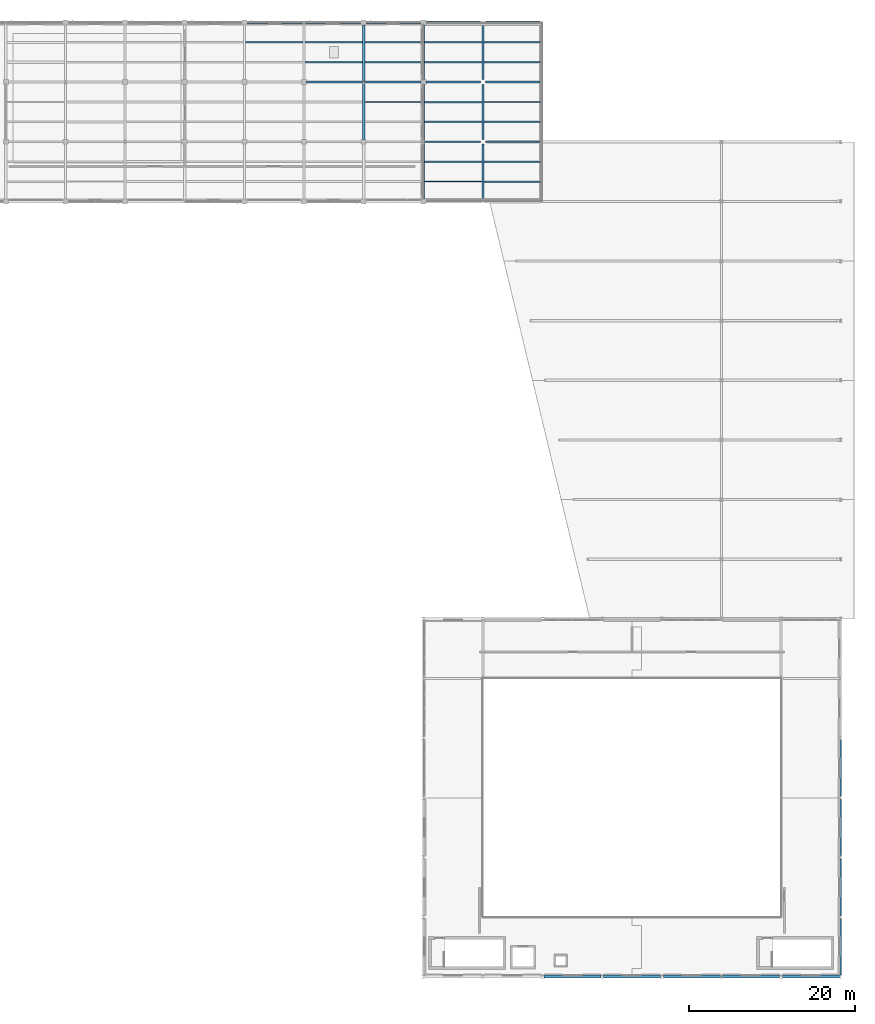
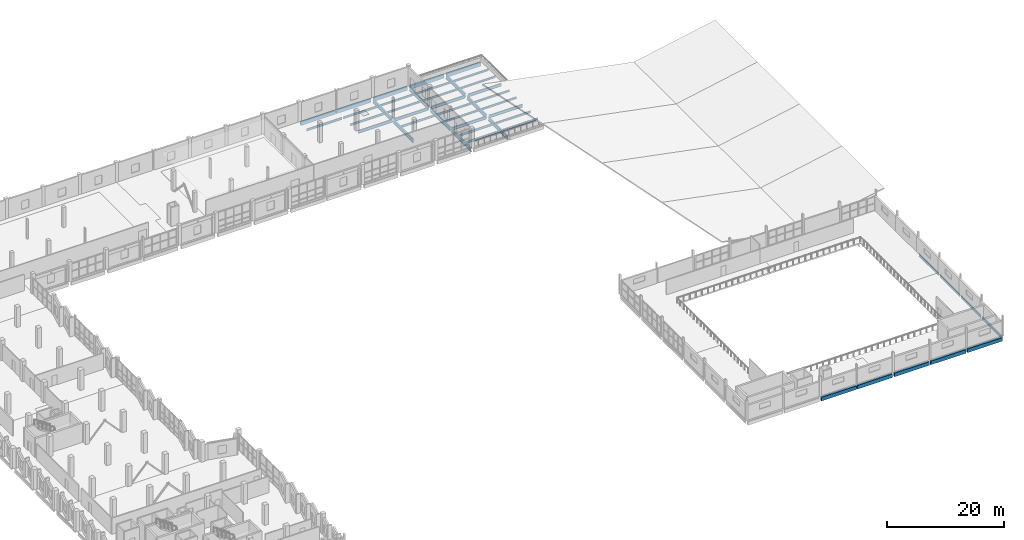
# One storey, part 51 of 94: 46 beams.
"""IFC4 building model written with IfcOpenShell, lengths in metres."""

from ifc_helpers import new_model, si_unit, direction, frame, origin, origin_2d, place, context, subcontext, project, spatial, rectangle, i_section, extrude, material, material_profile, profile_set, type_object, element, save


model = new_model("IFC4")

# Units and contexts
model_context = context("Model", 3, precision=1e-05, world=origin(), true_north=direction((0.0, 1.0)))
body_context = subcontext(model_context, "Body", "Model", "MODEL_VIEW")
ifc_project = project(units=[si_unit("LENGTHUNIT", "METRE"), si_unit("AREAUNIT", "SQUARE_METRE"), si_unit("VOLUMEUNIT", "CUBIC_METRE"), si_unit("PLANEANGLEUNIT", "RADIAN"), si_unit("MASSUNIT", "GRAM", prefix="KILO")], contexts=[model_context])

# Site, building, storey
site_placement = place(None, origin())
site = spatial("IfcSite", under=ifc_project, at=site_placement, CompositionType="ELEMENT")
building_placement = place(site_placement, origin())
building = spatial("IfcBuilding", under=site, at=building_placement, Name="Kalmorath City Hall", CompositionType="ELEMENT")
storey_placement = place(building_placement, frame((0.0, 0.0, 14.699951171875)))
storey = spatial("IfcBuildingStorey", under=building, at=storey_placement, Name="L03", CompositionType="ELEMENT", Elevation=14.699951171875)

# Beams
ifc_material_1 = material(Name="Precast concrete C40/50", Category="concrete")
ifc_material_profile_1 = material_profile(ifc_material_1, rectangle(XDim=0.35009765625, YDim=0.75, at=origin_2d()), Name="PC-SP-350X750")
ifc_profile_set_1 = profile_set([ifc_material_profile_1], Name="Precast concrete C40/50")
beam_type_1 = type_object("IfcBeamType", Name="Precast spandrel lintel 350x750", PredefinedType="LINTEL", material=ifc_profile_set_1)
beam_1_placement = place(storey_placement, frame((129.784423828125, 0.0, -0.638916015625), z_axis=(1.0, 0.0, 0.0), x_axis=(0.0, 1.0, 0.0)))
element("IfcBeam", 1, at=beam_1_placement, inside=storey, type_object=beam_type_1, Name="L03 girder PSB1 X19-20/1", PredefinedType="LINTEL", context=body_context, shape_type="SweptSolid", body=[
    extrude(rectangle(XDim=0.35009765625, YDim=0.75, at=origin_2d()), origin(), (0.0, 0.0, 1.0), 6.8876953125),
])
for number, where, z_axis, x_axis, name in (
    (2, (136.927978515625, 0.0, -0.638916015625), (1.0, 0.0, 0.0), (0.0, 1.0, 0.0), "L03 girder PSB1 X20-21/1"),
    (3, (144.1845703125, 0.0, -0.638916015625), (1.0, 0.0, 0.0), (0.0, 1.0, 0.0), "L03 girder PSB1 X21-22/1"),
):
    element("IfcBeam", number, at=place(storey_placement, frame(where, z_axis=z_axis, x_axis=x_axis)), inside=storey, type_object=beam_type_1, Name=name, PredefinedType="LINTEL", context=body_context, shape_type="SweptSolid", body=[
        extrude(rectangle(XDim=0.35009765625, YDim=0.75, at=origin_2d()), origin(), (0.0, 0.0, 1.0), 6.887451171875),
    ])
beam_2_placement = place(storey_placement, frame((151.327880859375, 0.0, -0.638916015625), z_axis=(1.0, 0.0, 0.0), x_axis=(0.0, 1.0, 0.0)))
element("IfcBeam", 4, at=beam_2_placement, inside=storey, type_object=beam_type_1, Name="L03 girder PSB1 X22-23/1", PredefinedType="LINTEL", context=body_context, shape_type="SweptSolid", body=[
    extrude(rectangle(XDim=0.35009765625, YDim=0.75, at=origin_2d()), origin(), (0.0, 0.0, 1.0), 6.8876953125),
])
beam_3_placement = place(storey_placement, frame((158.58447265625, 0.0, -0.638916015625), z_axis=(1.0, 0.0, 0.0), x_axis=(0.0, 1.0, 0.0)))
element("IfcBeam", 5, at=beam_3_placement, inside=storey, type_object=beam_type_1, Name="L03 girder PSB1 X23-24/1", PredefinedType="LINTEL", context=body_context, shape_type="SweptSolid", body=[
    extrude(rectangle(XDim=0.35009765625, YDim=0.75, at=origin_2d()), origin(), (0.0, 0.0, 1.0), 6.887451171875),
])
beam_4_placement = place(storey_placement, frame((93.89990234375, 115.199951171875, -0.638916015625), z_axis=(1.0, 0.0, 0.0), x_axis=(0.0, 1.0, 0.0)))
element("IfcBeam", 6, at=beam_4_placement, inside=storey, type_object=beam_type_1, Name="L03 girder PSB1 X14-15/17", PredefinedType="LINTEL", context=body_context, shape_type="SweptSolid", body=[
    extrude(rectangle(XDim=0.35009765625, YDim=0.75, at=origin_2d()), origin(), (0.0, 0.0, 1.0), 6.773193359375),
])
beam_5_placement = place(storey_placement, frame((100.927001953125, 115.199951171875, -0.638916015625), z_axis=(1.0, 0.0, 0.0), x_axis=(0.0, 1.0, 0.0)))
element("IfcBeam", 7, at=beam_5_placement, inside=storey, type_object=beam_type_1, Name="L03 girder PSB1 X15-16/17", PredefinedType="LINTEL", context=body_context, shape_type="SweptSolid", body=[
    extrude(rectangle(XDim=0.35009765625, YDim=0.75, at=origin_2d()), origin(), (0.0, 0.0, 1.0), 6.77294921875),
])
beam_6_placement = place(storey_placement, frame((108.300048828125, 115.199951171875, -0.638916015625), z_axis=(1.0, 0.0, 0.0), x_axis=(0.0, 1.0, 0.0)))
element("IfcBeam", 8, at=beam_6_placement, inside=storey, type_object=beam_type_1, Name="L03 girder PSB1 X16-17/17", PredefinedType="LINTEL", context=body_context, shape_type="SweptSolid", body=[
    extrude(rectangle(XDim=0.35009765625, YDim=0.75, at=origin_2d()), origin(), (0.0, 0.0, 1.0), 6.599853515625),
])
for number, where, z_axis, x_axis, name in (
    (9, (115.5, 115.199951171875, -0.638916015625), (1.0, 0.0, 0.0), (0.0, 1.0, 0.0), "L03 girder PSB1 X17-18/17"),
    (10, (122.699951171875, 115.199951171875, -0.638916015625), (1.0, 0.0, 0.0), (0.0, 1.0, 0.0), "L03 girder PSB1 X18-19/17"),
):
    element("IfcBeam", number, at=place(storey_placement, frame(where, z_axis=z_axis, x_axis=x_axis)), inside=storey, type_object=beam_type_1, Name=name, PredefinedType="LINTEL", context=body_context, shape_type="SweptSolid", body=[
        extrude(rectangle(XDim=0.35009765625, YDim=0.75, at=origin_2d()), origin(), (0.0, 0.0, 1.0), 6.60009765625),
    ])
ifc_material_2 = material(Name="Steel ASTM A992 Grade 50", Category="steel")
ifc_material_profile_2 = material_profile(ifc_material_2, i_section(OverallWidth=0.177001953125, OverallDepth=0.403076171875, WebThickness=0.007568359375, FlangeThickness=0.010986328125, FilletRadius=0.012939453125, at=origin_2d()), Name="W16X36")
ifc_profile_set_2 = profile_set([ifc_material_profile_2], Name="Steel ASTM A992 Grade 50")
beam_type_2 = type_object("IfcBeamType", Name="Steel composite joist W16X36", PredefinedType="JOIST", material=ifc_profile_set_2)
for number, where, z_axis, x_axis, name in (
    (11, (122.533935546875, 110.39990234375, -0.46533203125), (1.0, 0.0, 0.0), (0.0, 1.0, 0.0), "L03 joist SJ7 18.16.1"),
    (12, (122.533935546875, 112.800048828125, -0.46533203125), (1.0, 0.0, 0.0), (0.0, 1.0, 0.0), "L03 joist SJ7 18.16.2"),
):
    element("IfcBeam", number, at=place(storey_placement, frame(where, z_axis=z_axis, x_axis=x_axis)), inside=storey, type_object=beam_type_2, Name=name, PredefinedType="JOIST", context=body_context, shape_type="SweptSolid", body=[
        extrude(i_section(OverallWidth=0.177001953125, OverallDepth=0.403076171875, WebThickness=0.007568359375, FlangeThickness=0.010986328125, FilletRadius=0.012939453125, at=origin_2d()), origin(), (0.0, 0.0, 1.0), 6.983642578125),
    ])
ifc_material_3 = material(Name="Steel ASTM A992 Grade 50", Category="steel")
ifc_material_profile_3 = material_profile(ifc_material_3, i_section(OverallWidth=0.178955078125, OverallDepth=0.409912109375, WebThickness=0.0087890625, FlangeThickness=0.014404296875, FilletRadius=0.012939453125, at=origin_2d()), Name="W16X45")
ifc_profile_set_3 = profile_set([ifc_material_profile_3], Name="Steel ASTM A992 Grade 50")
beam_type_3 = type_object("IfcBeamType", Name="Steel composite joist W16X45", PredefinedType="JOIST", material=ifc_profile_set_3)
for number, where, z_axis, x_axis, name in (
    (13, (115.333984375, 110.39990234375, -0.468994140625), (1.0, 0.0, 0.0), (0.0, 1.0, 0.0), "L03 joist SJ6 17.16.1"),
    (14, (115.333984375, 112.800048828125, -0.468994140625), (1.0, 0.0, 0.0), (0.0, 1.0, 0.0), "L03 joist SJ6 17.16.2"),
):
    element("IfcBeam", number, at=place(storey_placement, frame(where, z_axis=z_axis, x_axis=x_axis)), inside=storey, type_object=beam_type_3, Name=name, PredefinedType="JOIST", context=body_context, shape_type="SweptSolid", body=[
        extrude(i_section(OverallWidth=0.178955078125, OverallDepth=0.409912109375, WebThickness=0.0087890625, FlangeThickness=0.014404296875, FilletRadius=0.012939453125, at=origin_2d()), origin(), (0.0, 0.0, 1.0), 6.93212890625),
    ])
for number, where, z_axis, x_axis, name in (
    (15, (122.533935546875, 103.199951171875, -0.468994140625), (1.0, 0.0, 0.0), (0.0, 1.0, 0.0), "L03 joist SJ6 18.15.1"),
    (16, (122.533935546875, 105.60009765625, -0.468994140625), (1.0, 0.0, 0.0), (0.0, 1.0, 0.0), "L03 joist SJ6 18.15.2"),
):
    element("IfcBeam", number, at=place(storey_placement, frame(where, z_axis=z_axis, x_axis=x_axis)), inside=storey, type_object=beam_type_3, Name=name, PredefinedType="JOIST", context=body_context, shape_type="SweptSolid", body=[
        extrude(i_section(OverallWidth=0.178955078125, OverallDepth=0.409912109375, WebThickness=0.0087890625, FlangeThickness=0.014404296875, FilletRadius=0.012939453125, at=origin_2d()), origin(), (0.0, 0.0, 1.0), 6.983642578125),
    ])
ifc_material_4 = material(Name="Steel ASTM A992 Grade 50", Category="steel")
ifc_material_profile_4 = material_profile(ifc_material_4, i_section(OverallWidth=0.180908203125, OverallDepth=0.4169921875, WebThickness=0.010986328125, FlangeThickness=0.018310546875, FilletRadius=0.012939453125, at=origin_2d()), Name="W16X57")
ifc_profile_set_4 = profile_set([ifc_material_profile_4], Name="Steel ASTM A992 Grade 50")
beam_type_4 = type_object("IfcBeamType", Name="Steel composite joist W16X57", PredefinedType="JOIST", material=ifc_profile_set_4)
for number, where, z_axis, x_axis, name in (
    (17, (108.134033203125, 110.39990234375, -0.472412109375), (1.0, 0.0, 0.0), (0.0, 1.0, 0.0), "L03 joist SJ5 16.16.1"),
    (18, (108.134033203125, 112.800048828125, -0.472412109375), (1.0, 0.0, 0.0), (0.0, 1.0, 0.0), "L03 joist SJ5 16.16.2"),
):
    element("IfcBeam", number, at=place(storey_placement, frame(where, z_axis=z_axis, x_axis=x_axis)), inside=storey, type_object=beam_type_4, Name=name, PredefinedType="JOIST", context=body_context, shape_type="SweptSolid", body=[
        extrude(i_section(OverallWidth=0.180908203125, OverallDepth=0.4169921875, WebThickness=0.010986328125, FlangeThickness=0.018310546875, FilletRadius=0.012939453125, at=origin_2d()), origin(), (0.0, 0.0, 1.0), 6.931884765625),
    ])
for number, where, z_axis, x_axis, name in (
    (19, (115.333984375, 103.199951171875, -0.472412109375), (1.0, 0.0, 0.0), (0.0, 1.0, 0.0), "L03 joist SJ5 17.15.1"),
    (20, (115.333984375, 105.60009765625, -0.472412109375), (1.0, 0.0, 0.0), (0.0, 1.0, 0.0), "L03 joist SJ5 17.15.2"),
):
    element("IfcBeam", number, at=place(storey_placement, frame(where, z_axis=z_axis, x_axis=x_axis)), inside=storey, type_object=beam_type_4, Name=name, PredefinedType="JOIST", context=body_context, shape_type="SweptSolid", body=[
        extrude(i_section(OverallWidth=0.180908203125, OverallDepth=0.4169921875, WebThickness=0.010986328125, FlangeThickness=0.018310546875, FilletRadius=0.012939453125, at=origin_2d()), origin(), (0.0, 0.0, 1.0), 6.93212890625),
    ])
for number, where, z_axis, x_axis, name in (
    (21, (122.533935546875, 96.0, -0.472412109375), (1.0, 0.0, 0.0), (0.0, 1.0, 0.0), "L03 joist SJ5 18.14.1"),
    (22, (122.533935546875, 98.39990234375, -0.472412109375), (1.0, 0.0, 0.0), (0.0, 1.0, 0.0), "L03 joist SJ5 18.14.2"),
):
    element("IfcBeam", number, at=place(storey_placement, frame(where, z_axis=z_axis, x_axis=x_axis)), inside=storey, type_object=beam_type_4, Name=name, PredefinedType="JOIST", context=body_context, shape_type="SweptSolid", body=[
        extrude(i_section(OverallWidth=0.180908203125, OverallDepth=0.4169921875, WebThickness=0.010986328125, FlangeThickness=0.018310546875, FilletRadius=0.012939453125, at=origin_2d()), origin(), (0.0, 0.0, 1.0), 6.983642578125),
    ])
ifc_material_5 = material(Name="Steel ASTM A992 Grade 50", Category="steel")
ifc_material_profile_5 = material_profile(ifc_material_5, i_section(OverallWidth=0.153076171875, OverallDepth=0.455078125, WebThickness=0.008056640625, FlangeThickness=0.01318359375, FilletRadius=0.013916015625, at=origin_2d()), Name="W18X40")
ifc_profile_set_5 = profile_set([ifc_material_profile_5], Name="Steel ASTM A992 Grade 50")
beam_type_5 = type_object("IfcBeamType", Name="Steel composite joist W18X40", PredefinedType="JOIST", material=ifc_profile_set_5)
for number, where, z_axis, x_axis, name in (
    (23, (100.93408203125, 110.39990234375, -0.491455078125), (1.0, 0.0, 0.0), (0.0, 1.0, 0.0), "L03 joist SJ4 15.16.1"),
    (24, (100.93408203125, 112.800048828125, -0.491455078125), (1.0, 0.0, 0.0), (0.0, 1.0, 0.0), "L03 joist SJ4 15.16.2"),
    (25, (108.134033203125, 105.60009765625, -0.491455078125), (1.0, 0.0, 0.0), (0.0, 1.0, 0.0), "L03 joist SJ4 16.15.2"),
):
    element("IfcBeam", number, at=place(storey_placement, frame(where, z_axis=z_axis, x_axis=x_axis)), inside=storey, type_object=beam_type_5, Name=name, PredefinedType="JOIST", context=body_context, shape_type="SweptSolid", body=[
        extrude(i_section(OverallWidth=0.153076171875, OverallDepth=0.455078125, WebThickness=0.008056640625, FlangeThickness=0.01318359375, FilletRadius=0.013916015625, at=origin_2d()), origin(), (0.0, 0.0, 1.0), 6.931884765625),
    ])
for number, where, z_axis, x_axis, name in (
    (26, (115.333984375, 96.0, -0.491455078125), (1.0, 0.0, 0.0), (0.0, 1.0, 0.0), "L03 joist SJ4 17.14.1"),
    (27, (115.333984375, 98.39990234375, -0.491455078125), (1.0, 0.0, 0.0), (0.0, 1.0, 0.0), "L03 joist SJ4 17.14.2"),
):
    element("IfcBeam", number, at=place(storey_placement, frame(where, z_axis=z_axis, x_axis=x_axis)), inside=storey, type_object=beam_type_5, Name=name, PredefinedType="JOIST", context=body_context, shape_type="SweptSolid", body=[
        extrude(i_section(OverallWidth=0.153076171875, OverallDepth=0.455078125, WebThickness=0.008056640625, FlangeThickness=0.01318359375, FilletRadius=0.013916015625, at=origin_2d()), origin(), (0.0, 0.0, 1.0), 6.93212890625),
    ])
ifc_material_6 = material(Name="Steel ASTM A992 Grade 50", Category="steel")
ifc_material_profile_6 = material_profile(ifc_material_6, i_section(OverallWidth=0.19091796875, OverallDepth=0.45703125, WebThickness=0.009033203125, FlangeThickness=0.014404296875, FilletRadius=0.013916015625, at=origin_2d()), Name="W18X50")
ifc_profile_set_6 = profile_set([ifc_material_profile_6], Name="Steel ASTM A992 Grade 50")
beam_type_6 = type_object("IfcBeamType", Name="Steel composite joist W18X50", PredefinedType="JOIST", material=ifc_profile_set_6)
beam_7_placement = place(storey_placement, frame((93.73388671875, 112.800048828125, -0.492431640625), z_axis=(1.0, 0.0, 0.0), x_axis=(0.0, 1.0, 0.0)))
element("IfcBeam", 28, at=beam_7_placement, inside=storey, type_object=beam_type_6, Name="L03 joist SJ3 14.16.2", PredefinedType="JOIST", context=body_context, shape_type="SweptSolid", body=[
    extrude(i_section(OverallWidth=0.19091796875, OverallDepth=0.45703125, WebThickness=0.009033203125, FlangeThickness=0.014404296875, FilletRadius=0.013916015625, at=origin_2d()), origin(), (0.0, 0.0, 1.0), 6.93212890625),
])
ifc_material_7 = material(Name="Steel ASTM A992 Grade 50", Category="steel")
ifc_material_profile_7 = material_profile(ifc_material_7, i_section(OverallWidth=0.22802734375, OverallDepth=0.60302734375, WebThickness=0.010498046875, FlangeThickness=0.014892578125, FilletRadius=0.01611328125, at=origin_2d()), Name="W24X68")
ifc_profile_set_7 = profile_set([ifc_material_profile_7], Name="Steel ASTM A992 Grade 50")
beam_type_7 = type_object("IfcBeamType", Name="Steel floor girder W24X68", PredefinedType="BEAM", material=ifc_profile_set_7)
beam_8_placement = place(storey_placement, frame((115.326904296875, 100.800048828125, -0.5654296875), z_axis=(1.0, 0.0, 0.0), x_axis=(0.0, 1.0, 0.0)))
element("IfcBeam", 29, at=beam_8_placement, inside=storey, type_object=beam_type_7, Name="L03 girder SG9 X17-18/15", PredefinedType="BEAM", context=body_context, shape_type="SweptSolid", body=[
    extrude(i_section(OverallWidth=0.22802734375, OverallDepth=0.60302734375, WebThickness=0.010498046875, FlangeThickness=0.014892578125, FilletRadius=0.01611328125, at=origin_2d()), origin(), (0.0, 0.0, 1.0), 6.773193359375),
])
beam_9_placement = place(storey_placement, frame((122.699951171875, 100.800048828125, -0.5654296875), z_axis=(1.0, 0.0, 0.0), x_axis=(0.0, 1.0, 0.0)))
element("IfcBeam", 30, at=beam_9_placement, inside=storey, type_object=beam_type_7, Name="L03 girder SG9 X18-19/15", PredefinedType="BEAM", context=body_context, shape_type="SweptSolid", body=[
    extrude(i_section(OverallWidth=0.22802734375, OverallDepth=0.60302734375, WebThickness=0.010498046875, FlangeThickness=0.014892578125, FilletRadius=0.01611328125, at=origin_2d()), origin(), (0.0, 0.0, 1.0), 6.60009765625),
])
for number, where, z_axis, x_axis, name in (
    (31, (101.10009765625, 108.0, -0.5654296875), (1.0, 0.0, 0.0), (0.0, 1.0, 0.0), "L03 girder SG9 X15-16/16"),
    (32, (108.126953125, 108.0, -0.5654296875), (1.0, 0.0, 0.0), (0.0, 1.0, 0.0), "L03 girder SG9 X16-17/16"),
):
    element("IfcBeam", number, at=place(storey_placement, frame(where, z_axis=z_axis, x_axis=x_axis)), inside=storey, type_object=beam_type_7, Name=name, PredefinedType="BEAM", context=body_context, shape_type="SweptSolid", body=[
        extrude(i_section(OverallWidth=0.22802734375, OverallDepth=0.60302734375, WebThickness=0.010498046875, FlangeThickness=0.014892578125, FilletRadius=0.01611328125, at=origin_2d()), origin(), (0.0, 0.0, 1.0), 6.77294921875),
    ])
for number, where, z_axis, x_axis, name in (
    (33, (115.5, 108.0, -0.5654296875), (1.0, 0.0, 0.0), (0.0, 1.0, 0.0), "L03 girder SG9 X17-18/16"),
    (34, (122.699951171875, 108.0, -0.5654296875), (1.0, 0.0, 0.0), (0.0, 1.0, 0.0), "L03 girder SG9 X18-19/16"),
):
    element("IfcBeam", number, at=place(storey_placement, frame(where, z_axis=z_axis, x_axis=x_axis)), inside=storey, type_object=beam_type_7, Name=name, PredefinedType="BEAM", context=body_context, shape_type="SweptSolid", body=[
        extrude(i_section(OverallWidth=0.22802734375, OverallDepth=0.60302734375, WebThickness=0.010498046875, FlangeThickness=0.014892578125, FilletRadius=0.01611328125, at=origin_2d()), origin(), (0.0, 0.0, 1.0), 6.60009765625),
    ])
ifc_material_8 = material(Name="Steel ASTM A992 Grade 50", Category="steel")
ifc_material_profile_8 = material_profile(ifc_material_8, i_section(OverallWidth=0.26806640625, OverallDepth=0.77001953125, WebThickness=0.015625, FlangeThickness=0.025390625, FilletRadius=0.02001953125, at=origin_2d()), Name="W30X132")
ifc_profile_set_8 = profile_set([ifc_material_profile_8], Name="Steel ASTM A992 Grade 50")
beam_type_8 = type_object("IfcBeamType", Name="Steel primary girder W30X132", PredefinedType="BEAM", material=ifc_profile_set_8)
for number, where, z_axis, x_axis, name in (
    (35, (108.0, 101.10009765625, -0.64892578125), (0.0, 1.0, 0.0), (-1.0, 0.0, 0.0), "L03 girder SG3 Y16/15-16"),
    (36, (108.0, 108.176513671875, -0.64892578125), (0.0, 1.0, 0.0), (-1.0, 0.0, 0.0), "L03 girder SG3 Y16/16-17"),
):
    element("IfcBeam", number, at=place(storey_placement, frame(where, z_axis=z_axis, x_axis=x_axis)), inside=storey, type_object=beam_type_8, Name=name, PredefinedType="BEAM", context=body_context, shape_type="SweptSolid", body=[
        extrude(i_section(OverallWidth=0.26806640625, OverallDepth=0.77001953125, WebThickness=0.015625, FlangeThickness=0.025390625, FilletRadius=0.02001953125, at=origin_2d()), origin(), (0.0, 0.0, 1.0), 6.723388671875),
    ])
beam_10_placement = place(storey_placement, frame((115.199951171875, 93.89990234375, -0.64892578125), z_axis=(0.0, 1.0, 0.0), x_axis=(-1.0, 0.0, 0.0)))
element("IfcBeam", 37, at=beam_10_placement, inside=storey, type_object=beam_type_8, Name="L03 girder SG3 Y17/14-15", PredefinedType="BEAM", context=body_context, shape_type="SweptSolid", body=[
    extrude(i_section(OverallWidth=0.26806640625, OverallDepth=0.77001953125, WebThickness=0.015625, FlangeThickness=0.025390625, FilletRadius=0.02001953125, at=origin_2d()), origin(), (0.0, 0.0, 1.0), 6.7236328125),
])
beam_11_placement = place(storey_placement, frame((115.199951171875, 100.9765625, -0.64892578125), z_axis=(0.0, 1.0, 0.0), x_axis=(-1.0, 0.0, 0.0)))
element("IfcBeam", 38, at=beam_11_placement, inside=storey, type_object=beam_type_8, Name="L03 girder SG3 Y17/15-16", PredefinedType="BEAM", context=body_context, shape_type="SweptSolid", body=[
    extrude(i_section(OverallWidth=0.26806640625, OverallDepth=0.77001953125, WebThickness=0.015625, FlangeThickness=0.025390625, FilletRadius=0.02001953125, at=origin_2d()), origin(), (0.0, 0.0, 1.0), 6.723388671875),
])
beam_12_placement = place(storey_placement, frame((115.199951171875, 108.300048828125, -0.64892578125), z_axis=(0.0, 1.0, 0.0), x_axis=(-1.0, 0.0, 0.0)))
element("IfcBeam", 39, at=beam_12_placement, inside=storey, type_object=beam_type_8, Name="L03 girder SG3 Y17/16-17", PredefinedType="BEAM", context=body_context, shape_type="SweptSolid", body=[
    extrude(i_section(OverallWidth=0.26806640625, OverallDepth=0.77001953125, WebThickness=0.015625, FlangeThickness=0.025390625, FilletRadius=0.02001953125, at=origin_2d()), origin(), (0.0, 0.0, 1.0), 6.599853515625),
])
beam_13_placement = place(storey_placement, frame((122.39990234375, 93.776611328125, -0.64892578125), z_axis=(0.0, 1.0, 0.0), x_axis=(-1.0, 0.0, 0.0)))
element("IfcBeam", 40, at=beam_13_placement, inside=storey, type_object=beam_type_8, Name="L03 girder SG3 Y18/14-15", PredefinedType="BEAM", context=body_context, shape_type="SweptSolid", body=[
    extrude(i_section(OverallWidth=0.26806640625, OverallDepth=0.77001953125, WebThickness=0.015625, FlangeThickness=0.025390625, FilletRadius=0.02001953125, at=origin_2d()), origin(), (0.0, 0.0, 1.0), 6.723388671875),
])
for number, where, z_axis, x_axis, name in (
    (41, (122.39990234375, 101.10009765625, -0.64892578125), (0.0, 1.0, 0.0), (-1.0, 0.0, 0.0), "L03 girder SG3 Y18/15-16"),
    (42, (122.39990234375, 108.300048828125, -0.64892578125), (0.0, 1.0, 0.0), (-1.0, 0.0, 0.0), "L03 girder SG3 Y18/16-17"),
):
    element("IfcBeam", number, at=place(storey_placement, frame(where, z_axis=z_axis, x_axis=x_axis)), inside=storey, type_object=beam_type_8, Name=name, PredefinedType="BEAM", context=body_context, shape_type="SweptSolid", body=[
        extrude(i_section(OverallWidth=0.26806640625, OverallDepth=0.77001953125, WebThickness=0.015625, FlangeThickness=0.025390625, FilletRadius=0.02001953125, at=origin_2d()), origin(), (0.0, 0.0, 1.0), 6.599853515625),
    ])
ifc_material_9 = material(Name="Steel ASTM A992 Grade 50", Category="steel")
ifc_material_profile_9 = material_profile(ifc_material_9, i_section(OverallWidth=0.1650390625, OverallDepth=0.52490234375, WebThickness=0.0087890625, FlangeThickness=0.011474609375, FilletRadius=0.014892578125, at=origin_2d()), Name="W21X44")
ifc_profile_set_9 = profile_set([ifc_material_profile_9], Name="Steel ASTM A992 Grade 50")
beam_type_9 = type_object("IfcBeamType", Name="Steel spandrel beam W21X44", PredefinedType="SPANDREL", material=ifc_profile_set_9)
for number, where, z_axis, x_axis, name in (
    (43, (165.60009765625, 0.179931640625, -0.5263671875), (0.0, 1.0, 0.0), (-1.0, 0.0, 0.0), "L03 girder SB4 Y24/1-2"),
    (44, (165.60009765625, 7.3798828125, -0.5263671875), (0.0, 1.0, 0.0), (-1.0, 0.0, 0.0), "L03 girder SB4 Y24/2-3"),
):
    element("IfcBeam", number, at=place(storey_placement, frame(where, z_axis=z_axis, x_axis=x_axis)), inside=storey, type_object=beam_type_9, Name=name, PredefinedType="SPANDREL", context=body_context, shape_type="SweptSolid", body=[
        extrude(i_section(OverallWidth=0.1650390625, OverallDepth=0.52490234375, WebThickness=0.0087890625, FlangeThickness=0.011474609375, FilletRadius=0.014892578125, at=origin_2d()), origin(), (0.0, 0.0, 1.0), 6.840087890625),
    ])
beam_14_placement = place(storey_placement, frame((165.60009765625, 14.580078125, -0.5263671875), z_axis=(0.0, 1.0, 0.0), x_axis=(-1.0, 0.0, 0.0)))
element("IfcBeam", 45, at=beam_14_placement, inside=storey, type_object=beam_type_9, Name="L03 girder SB4 Y24/3-4", PredefinedType="SPANDREL", context=body_context, shape_type="SweptSolid", body=[
    extrude(i_section(OverallWidth=0.1650390625, OverallDepth=0.52490234375, WebThickness=0.0087890625, FlangeThickness=0.011474609375, FilletRadius=0.014892578125, at=origin_2d()), origin(), (0.0, 0.0, 1.0), 6.83984375),
])
beam_15_placement = place(storey_placement, frame((165.60009765625, 21.780029296875, -0.5263671875), z_axis=(0.0, 1.0, 0.0), x_axis=(-1.0, 0.0, 0.0)))
element("IfcBeam", 46, at=beam_15_placement, inside=storey, type_object=beam_type_9, Name="L03 girder SB4 Y24/4-5", PredefinedType="SPANDREL", context=body_context, shape_type="SweptSolid", body=[
    extrude(i_section(OverallWidth=0.1650390625, OverallDepth=0.52490234375, WebThickness=0.0087890625, FlangeThickness=0.011474609375, FilletRadius=0.014892578125, at=origin_2d()), origin(), (0.0, 0.0, 1.0), 6.840087890625),
])

save(model, "model.ifc")
